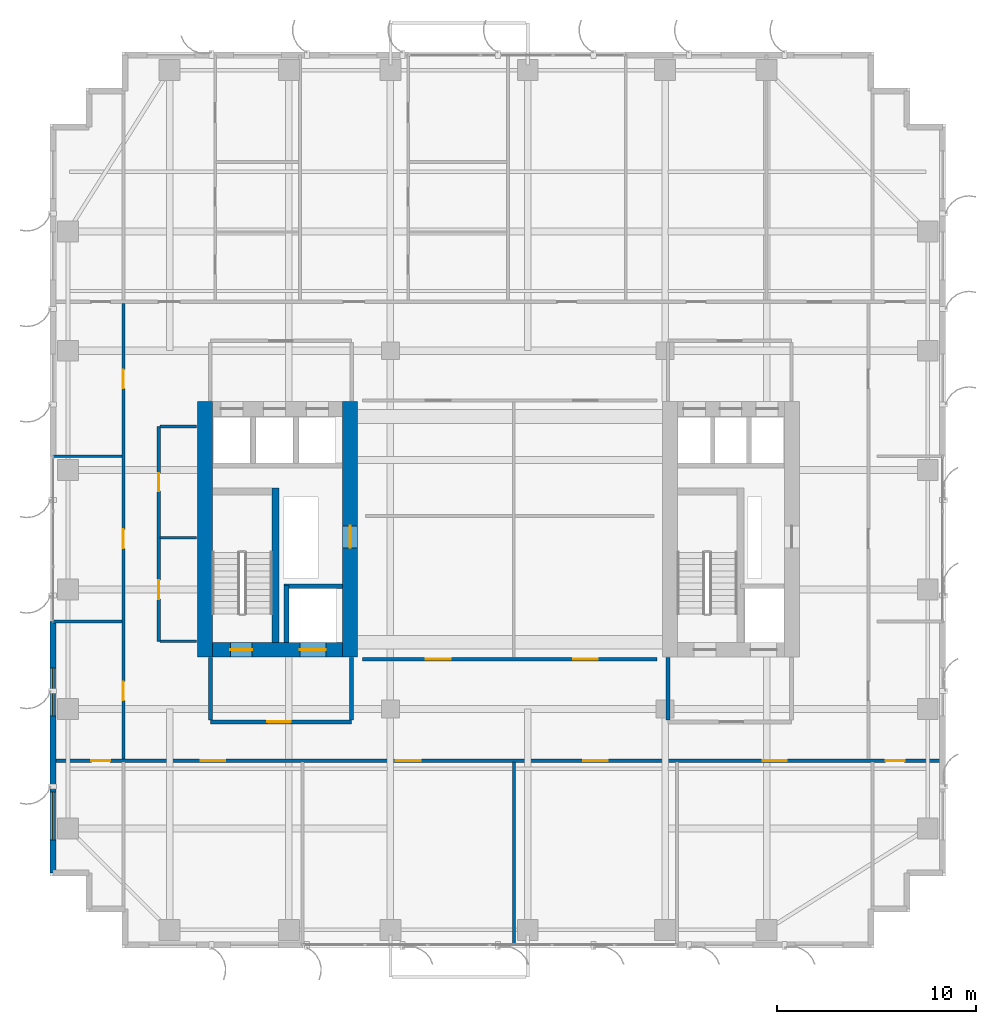
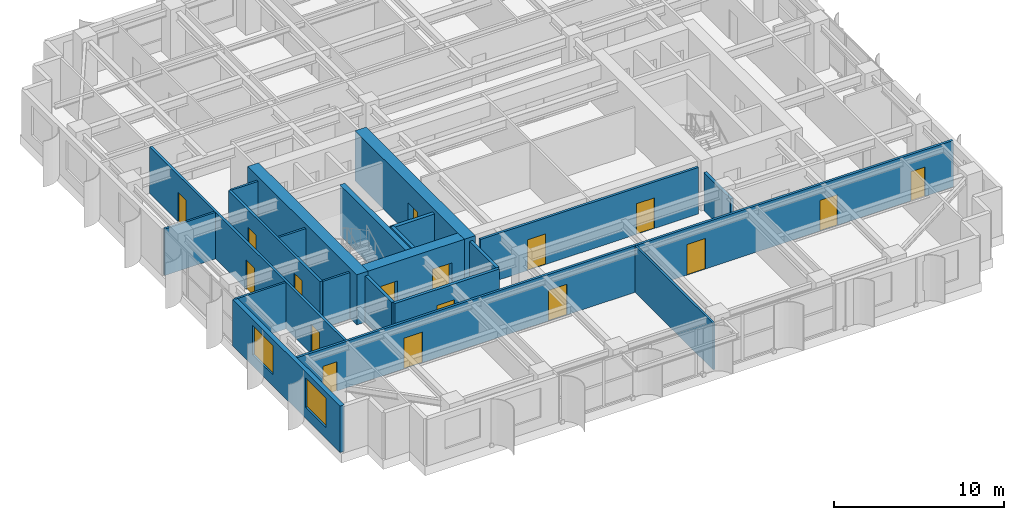
# One storey, part 17 of 23: 21 walls, 17 doors, 2 windows, 19 openings.
"""IFC4 building model written with IfcOpenShell, lengths in metres."""

from ifc_helpers import new_model, si_unit, direction, frame, frame_2d, origin, place, context, subcontext, project, spatial, rectangle, extrude, source, transform, mapped, material, layer, layer_set, type_object, element, fill, save


model = new_model("IFC4")

# Units and contexts
model_context = context("Model", 3, precision=1e-05, world=origin(), true_north=direction((0.0, 1.0)))
body_context = subcontext(model_context, "Body", "Model", "MODEL_VIEW")
ifc_project = project(units=[si_unit("LENGTHUNIT", "METRE"), si_unit("AREAUNIT", "SQUARE_METRE"), si_unit("VOLUMEUNIT", "CUBIC_METRE"), si_unit("PLANEANGLEUNIT", "RADIAN"), si_unit("MASSUNIT", "GRAM", prefix="KILO")], contexts=[model_context])

# Site, building, storey
site_placement = place(None, origin())
site = spatial("IfcSite", under=ifc_project, at=site_placement, CompositionType="ELEMENT")
building_placement = place(site_placement, origin())
building = spatial("IfcBuilding", under=site, at=building_placement, Name="Khoralis Quay Care Tower", CompositionType="ELEMENT")
storey_placement = place(building_placement, frame((0.0, 0.0, 83.699951171875)))
storey = spatial("IfcBuildingStorey", under=building, at=storey_placement, Name="L21", CompositionType="ELEMENT", Elevation=83.699951171875)

# Wall, opening, door
ifc_material_1 = material(Name="Gypsum plasterboard on acoustic metal stud")
ifc_layer_1 = layer(ifc_material_1, 0.199951171875)
ifc_layer_set_1 = layer_set([ifc_layer_1], Name="Gypsum plasterboard on acoustic metal stud")
wall_type_1 = type_object("IfcWallType", Name="WL-COMP-200", PredefinedType="PARTITIONING", material=ifc_layer_set_1)
wall_1_placement = place(storey_placement, frame((8.050048828125, 11.35009765625, 0.0), z_axis=(0.0, 0.0, 1.0), x_axis=(1.0, 0.0, 0.0)))
wall_1 = element("IfcWall", 1, at=wall_1_placement, inside=storey, type_object=wall_type_1, Name="L21 West Firefighting Lobby South Wall", PredefinedType="PARTITIONING", context=body_context, shape_type="SweptSolid", body=[
    extrude(rectangle(XDim=7.099853515625, YDim=0.199951171875, at=frame_2d((3.5498046875, 0.0))), origin(), (0.0, 0.0, 1.0), 3.340087890625),
])
opening_1_placement = place(wall_1_placement, frame((2.846435546875, 0.0, 0.0)))
opening_1 = element("IfcOpeningElement", 2, at=opening_1_placement, cuts=wall_1, Name="Opening FD1", PredefinedType="OPENING", context=body_context, shape_type="SweptSolid", body=[
    extrude(rectangle(XDim=1.199951171875, YDim=2.199951171875, at=frame_2d((0.60009765625, 1.10009765625))), frame((0.0, 0.10986328125, 0.0), z_axis=(0.0, -1.0, 0.0), x_axis=(1.0, 0.0, 0.0)), (0.0, 0.0, 1.0), 0.219970703125),
])
ifc_material_2 = material(Name="Fire-rated painted steel", Category="steel")
door_type_1 = type_object("IfcDoorType", Name="DR-FFL-1200X2200", OperationType="NOTDEFINED", PredefinedType="DOOR", material=ifc_material_2)
shared_shape_1 = source(origin(), body_context, "Body", "SweptSolid", [
    extrude(rectangle(XDim=1.199951171875, YDim=2.199951171875, at=frame_2d((0.60009765625, 1.10009765625))), frame((0.0, 0.02490234375, 0.0), z_axis=(0.0, -1.0, 0.0), x_axis=(1.0, 0.0, 0.0)), (0.0, 0.0, 1.0), 0.050048828125),
])
door_1_placement = place(opening_1_placement, origin())
door_1 = element("IfcDoor", 3, at=door_1_placement, inside=storey, type_object=door_type_1, Name="L21 West Firefighting Lobby Fire Door", OperationType="SINGLE_SWING_LEFT", OverallHeight=2.199951171875, OverallWidth=1.199951171875, PredefinedType="DOOR", context=body_context, shape_type="MappedRepresentation", body=[
    mapped(shared_shape_1, transform((0.0, 0.0, 0.0), scale=1.0)),
])
fill(opening_1, door_1)

# Walls
for number, where, z_axis, x_axis, name in (
    (4, (8.050048828125, 11.445068359375, 0.0), (0.0, 0.0, 1.0), (0.0, 1.0, 0.0), "L21 West Firefighting Lobby West Wall"),
    (5, (15.14990234375, 11.445068359375, 0.0), (0.0, 0.0, 1.0), (0.0, 1.0, 0.0), "L21 West Firefighting Lobby East Wall"),
):
    element("IfcWall", number, at=place(storey_placement, frame(where, z_axis=z_axis, x_axis=x_axis)), inside=storey, type_object=wall_type_1, Name=name, PredefinedType="PARTITIONING", context=body_context, shape_type="SweptSolid", body=[
        extrude(rectangle(XDim=3.135009765625, YDim=0.199951171875, at=frame_2d((1.5673828125, 0.0))), origin(), (0.0, 0.0, 1.0), 3.340087890625),
    ])
wall_2_placement = place(storey_placement, frame((31.050048828125, 11.445068359375, 0.0), z_axis=(0.0, 0.0, 1.0), x_axis=(0.0, 1.0, 0.0)))
element("IfcWall", 6, at=wall_2_placement, inside=storey, type_object=wall_type_1, Name="L21 East Firefighting Lobby West Wall", PredefinedType="PARTITIONING", context=body_context, shape_type="SweptSolid", body=[
    extrude(rectangle(XDim=3.135009765625, YDim=0.199951171875, at=frame_2d((1.5673828125, 0.0))), origin(), (0.0, 0.0, 1.0), 2.72412109375),
])
ifc_material_3 = material(Name="Concrete C80/95", Category="concrete")
ifc_layer_2 = layer(ifc_material_3, 0.75)
ifc_layer_set_2 = layer_set([ifc_layer_2], Name="Concrete C80/95")
wall_type_2 = type_object("IfcWallType", Name="WL-CORE-750", PredefinedType="SHEAR", material=ifc_layer_set_2)
wall_3_placement = place(storey_placement, frame((7.77490234375, 14.60009765625, 0.0), z_axis=(0.0, 0.0, 1.0), x_axis=(0.0, 1.0, 0.0)))
element("IfcWall", 7, at=wall_3_placement, inside=storey, type_object=wall_type_2, Name="L21 WCORE West Shear Wall", PredefinedType="SHEAR", context=body_context, shape_type="SweptSolid", body=[
    extrude(rectangle(XDim=12.849853515625, YDim=0.75, at=frame_2d((6.4248046875, 0.0))), origin(), (0.0, 0.0, 1.0), 3.60009765625),
])

# Wall, opening, door
wall_4_placement = place(storey_placement, frame((15.074951171875, 14.60009765625, 0.0), z_axis=(0.0, 0.0, 1.0), x_axis=(0.0, 1.0, 0.0)))
wall_4 = element("IfcWall", 8, at=wall_4_placement, inside=storey, type_object=wall_type_2, Name="L21 WCORE East Shear Wall", PredefinedType="SHEAR", context=body_context, shape_type="SweptSolid", body=[
    extrude(rectangle(XDim=12.849853515625, YDim=0.75, at=frame_2d((6.4248046875, 0.0))), origin(), (0.0, 0.0, 1.0), 3.60009765625),
])
opening_2_placement = place(wall_4_placement, frame((5.5, 0.0, 0.0)))
opening_2 = element("IfcOpeningElement", 9, at=opening_2_placement, cuts=wall_4, Name="Opening SD1", PredefinedType="OPENING", context=body_context, shape_type="SweptSolid", body=[
    extrude(rectangle(XDim=1.10009765625, YDim=2.199951171875, at=frame_2d((0.550048828125, 1.10009765625))), frame((0.0, 0.385009765625, 0.0), z_axis=(0.0, -1.0, 0.0), x_axis=(1.0, 0.0, 0.0)), (0.0, 0.0, 1.0), 0.77001953125),
])
door_type_2 = type_object("IfcDoorType", Name="DR-STAIR-1100X2200", OperationType="NOTDEFINED", PredefinedType="DOOR", material=ifc_material_2)
shared_shape_2 = source(origin(), body_context, "Body", "SweptSolid", [
    extrude(rectangle(XDim=1.10009765625, YDim=2.199951171875, at=frame_2d((0.550048828125, 1.10009765625))), frame((0.0, 0.02490234375, 0.0), z_axis=(0.0, -1.0, 0.0), x_axis=(1.0, 0.0, 0.0)), (0.0, 0.0, 1.0), 0.050048828125),
])
door_2_placement = place(opening_2_placement, origin())
door_2 = element("IfcDoor", 10, at=door_2_placement, inside=storey, type_object=door_type_2, Name="L21 West MEP Riser Door", OperationType="SINGLE_SWING_LEFT", OverallHeight=2.199951171875, OverallWidth=1.10009765625, PredefinedType="DOOR", context=body_context, shape_type="MappedRepresentation", body=[
    mapped(shared_shape_2, transform((0.0, 0.0, 0.0), scale=1.0)),
])
fill(opening_2, door_2)

# Wall, openings, doors
wall_5_placement = place(storey_placement, frame((8.14990234375, 14.97509765625, 0.0), z_axis=(0.0, 0.0, 1.0), x_axis=(1.0, 0.0, 0.0)))
wall_5 = element("IfcWall", 11, at=wall_5_placement, inside=storey, type_object=wall_type_2, Name="L21 WCORE South Shear Wall", PredefinedType="SHEAR", context=body_context, shape_type="SweptSolid", body=[
    extrude(rectangle(XDim=6.550048828125, YDim=0.75, at=frame_2d((3.27490234375, 0.0))), origin(), (0.0, 0.0, 1.0), 3.60009765625),
])
opening_3_placement = place(wall_5_placement, frame((0.89990234375, 0.0, 0.0)))
opening_3 = element("IfcOpeningElement", 12, at=opening_3_placement, cuts=wall_5, Name="Opening SD1", PredefinedType="OPENING", context=body_context, shape_type="SweptSolid", body=[
    extrude(rectangle(XDim=1.10009765625, YDim=2.199951171875, at=frame_2d((0.550048828125, 1.10009765625))), frame((0.0, 0.385009765625, 0.0), z_axis=(0.0, -1.0, 0.0), x_axis=(1.0, 0.0, 0.0)), (0.0, 0.0, 1.0), 0.77001953125),
])
opening_4_placement = place(wall_5_placement, frame((4.39990234375, 0.0, 0.0)))
opening_4 = element("IfcOpeningElement", 13, at=opening_4_placement, cuts=wall_5, Name="Opening LD2", PredefinedType="OPENING", context=body_context, shape_type="SweptSolid", body=[
    extrude(rectangle(XDim=1.300048828125, YDim=2.199951171875, at=frame_2d((0.64990234375, 1.10009765625))), frame((0.0, 0.385009765625, 0.0), z_axis=(0.0, -1.0, 0.0), x_axis=(1.0, 0.0, 0.0)), (0.0, 0.0, 1.0), 0.77001953125),
])
door_3_placement = place(opening_3_placement, origin())
door_3 = element("IfcDoor", 14, at=door_3_placement, inside=storey, type_object=door_type_2, Name="L21 Stair ST-T1 Fire Door", OperationType="SINGLE_SWING_LEFT", OverallHeight=2.199951171875, OverallWidth=1.10009765625, PredefinedType="DOOR", context=body_context, shape_type="MappedRepresentation", body=[
    mapped(shared_shape_2, transform((0.0, 0.0, 0.0), scale=1.0)),
])
fill(opening_3, door_3)
ifc_material_4 = material(Name="Brushed stainless steel", Category="steel")
door_type_3 = type_object("IfcDoorType", Name="DR-LIFT-1300X2200", OperationType="SLIDING_TO_RIGHT", PredefinedType="DOOR", material=ifc_material_4)
shared_shape_3 = source(origin(), body_context, "Body", "SweptSolid", [
    extrude(rectangle(XDim=1.300048828125, YDim=2.199951171875, at=frame_2d((0.64990234375, 1.10009765625))), frame((0.0, 0.02490234375, 0.0), z_axis=(0.0, -1.0, 0.0), x_axis=(1.0, 0.0, 0.0)), (0.0, 0.0, 1.0), 0.050048828125),
])
door_4_placement = place(opening_4_placement, origin())
door_4 = element("IfcDoor", 15, at=door_4_placement, inside=storey, type_object=door_type_3, Name="L21 Firefighting Lift FFL-1 Landing Door", OperationType="SLIDING_TO_RIGHT", OverallHeight=2.199951171875, OverallWidth=1.300048828125, PredefinedType="DOOR", context=body_context, shape_type="MappedRepresentation", body=[
    mapped(shared_shape_3, transform((0.0, 0.0, 0.0), scale=1.0)),
])
fill(opening_4, door_4)

ifc_layer_3 = layer(ifc_material_1, 0.1650390625)
ifc_layer_set_3 = layer_set([ifc_layer_3], Name="Gypsum plasterboard on acoustic metal stud")
wall_type_3 = type_object("IfcWallType", Name="WL-CORR-165", PredefinedType="PARTITIONING", material=ifc_layer_set_3)
wall_6_placement = place(storey_placement, frame((5.449951171875, 15.39990234375, 0.0), z_axis=(0.0, 0.0, 1.0), x_axis=(0.0, 1.0, 0.0)))
wall_6 = element("IfcWall", 16, at=wall_6_placement, inside=storey, type_object=wall_type_3, Name="L21 West Core Service Flank Wall", PredefinedType="PARTITIONING", context=body_context, shape_type="SweptSolid", body=[
    extrude(rectangle(XDim=10.800048828125, YDim=0.1650390625, at=frame_2d((5.39990234375, 0.0))), origin(), (0.0, 0.0, 1.0), 3.340087890625),
])
opening_5_placement = place(wall_6_placement, frame((2.125, 0.0, 0.0)))
opening_5 = element("IfcOpeningElement", 17, at=opening_5_placement, cuts=wall_6, Name="Opening ID1", PredefinedType="OPENING", context=body_context, shape_type="SweptSolid", body=[
    extrude(rectangle(XDim=0.949951171875, YDim=2.10009765625, at=frame_2d((0.47509765625, 1.050048828125))), frame((0.0, 0.092529296875, 0.0), z_axis=(0.0, -1.0, 0.0), x_axis=(1.0, 0.0, 0.0)), (0.0, 0.0, 1.0), 0.18505859375),
])
opening_6_placement = place(wall_6_placement, frame((7.550048828125, 0.0, 0.0)))
opening_6 = element("IfcOpeningElement", 18, at=opening_6_placement, cuts=wall_6, Name="Opening WD1", PredefinedType="OPENING", context=body_context, shape_type="SweptSolid", body=[
    extrude(rectangle(XDim=0.89990234375, YDim=2.10009765625, at=frame_2d((0.449951171875, 1.050048828125))), frame((0.0, 0.092529296875, 0.0), z_axis=(0.0, -1.0, 0.0), x_axis=(1.0, 0.0, 0.0)), (0.0, 0.0, 1.0), 0.18505859375),
])
ifc_material_5 = material(Name="Acoustic hardwood timber", Category="wood")
door_type_4 = type_object("IfcDoorType", Name="DR-BATH-900X2100", OperationType="NOTDEFINED", PredefinedType="DOOR", material=ifc_material_5)
shared_shape_4 = source(origin(), body_context, "Body", "SweptSolid", [
    extrude(rectangle(XDim=0.89990234375, YDim=2.10009765625, at=frame_2d((0.449951171875, 1.050048828125))), frame((0.0, 0.02490234375, 0.0), z_axis=(0.0, -1.0, 0.0), x_axis=(1.0, 0.0, 0.0)), (0.0, 0.0, 1.0), 0.050048828125),
])
door_5_placement = place(opening_6_placement, frame((0.89990234375, 0.0, 0.0), z_axis=(0.0, 0.0, 1.0), x_axis=(-1.0, 0.0, 0.0)))
door_5 = element("IfcDoor", 19, at=door_5_placement, inside=storey, type_object=door_type_4, Name="L21 Public Accessible WC Door", OperationType="SINGLE_SWING_LEFT", OverallHeight=2.10009765625, OverallWidth=0.89990234375, PredefinedType="DOOR", context=body_context, shape_type="MappedRepresentation", body=[
    mapped(shared_shape_4, transform((0.0, 0.0, 0.0), scale=1.0)),
])
fill(opening_6, door_5)
door_type_5 = type_object("IfcDoorType", Name="DR-ROOM-950X2100", OperationType="NOTDEFINED", PredefinedType="DOOR", material=ifc_material_5)
shared_shape_5 = source(origin(), body_context, "Body", "SweptSolid", [
    extrude(rectangle(XDim=0.949951171875, YDim=2.10009765625, at=frame_2d((0.47509765625, 1.050048828125))), frame((0.0, 0.02490234375, 0.0), z_axis=(0.0, -1.0, 0.0), x_axis=(1.0, 0.0, 0.0)), (0.0, 0.0, 1.0), 0.050048828125),
])
door_6_placement = place(opening_5_placement, frame((0.949951171875, 0.0, 0.0), z_axis=(0.0, 0.0, 1.0), x_axis=(-1.0, 0.0, 0.0)))
door_6 = element("IfcDoor", 20, at=door_6_placement, inside=storey, type_object=door_type_5, Name="L21 Housekeeping Linen Store Door", OperationType="SINGLE_SWING_RIGHT", OverallHeight=2.10009765625, OverallWidth=0.949951171875, PredefinedType="DOOR", context=body_context, shape_type="MappedRepresentation", body=[
    mapped(shared_shape_5, transform((0.0, 0.0, 0.0), scale=1.0)),
])
fill(opening_5, door_6)

wall_7_placement = place(storey_placement, frame((0.14501953125, 9.39990234375, 0.0), z_axis=(0.0, 0.0, 1.0), x_axis=(1.0, 0.0, 0.0)))
wall_7 = element("IfcWall", 21, at=wall_7_placement, inside=storey, type_object=wall_type_3, Name="L21 South Main Corridor Wall", PredefinedType="PARTITIONING", context=body_context, shape_type="SweptSolid", body=[
    extrude(rectangle(XDim=44.7099609375, YDim=0.1650390625, at=frame_2d((22.35498046875, 0.0))), origin(), (0.0, 0.0, 1.0), 3.340087890625),
])
opening_7_placement = place(wall_7_placement, frame((7.409912109375, 0.0, 0.0)))
opening_7 = element("IfcOpeningElement", 22, at=opening_7_placement, cuts=wall_7, Name="Opening CD1", PredefinedType="OPENING", context=body_context, shape_type="SweptSolid", body=[
    extrude(rectangle(XDim=1.25, YDim=2.199951171875, at=frame_2d((0.625, 1.10009765625))), frame((0.0, 0.092529296875, 0.0), z_axis=(0.0, -1.0, 0.0), x_axis=(1.0, 0.0, 0.0)), (0.0, 0.0, 1.0), 0.18505859375),
])
opening_8_placement = place(wall_7_placement, frame((17.22509765625, 0.0, 0.0)))
opening_8 = element("IfcOpeningElement", 23, at=opening_8_placement, cuts=wall_7, Name="Opening CD1", PredefinedType="OPENING", context=body_context, shape_type="SweptSolid", body=[
    extrude(rectangle(XDim=1.25, YDim=2.199951171875, at=frame_2d((0.625, 1.10009765625))), frame((0.0, 0.092529296875, 0.0), z_axis=(0.0, -1.0, 0.0), x_axis=(1.0, 0.0, 0.0)), (0.0, 0.0, 1.0), 0.18505859375),
])
opening_9_placement = place(wall_7_placement, frame((26.635009765625, 0.0, 0.0)))
opening_9 = element("IfcOpeningElement", 24, at=opening_9_placement, cuts=wall_7, Name="Opening CD1", PredefinedType="OPENING", context=body_context, shape_type="SweptSolid", body=[
    extrude(rectangle(XDim=1.25, YDim=2.199951171875, at=frame_2d((0.625, 1.10009765625))), frame((0.0, 0.092529296875, 0.0), z_axis=(0.0, -1.0, 0.0), x_axis=(1.0, 0.0, 0.0)), (0.0, 0.0, 1.0), 0.18505859375),
])
opening_10_placement = place(wall_7_placement, frame((35.6650390625, 0.0, 0.0)))
opening_10 = element("IfcOpeningElement", 25, at=opening_10_placement, cuts=wall_7, Name="Opening FD1", PredefinedType="OPENING", context=body_context, shape_type="SweptSolid", body=[
    extrude(rectangle(XDim=1.199951171875, YDim=2.199951171875, at=frame_2d((0.60009765625, 1.10009765625))), frame((0.0, 0.092529296875, 0.0), z_axis=(0.0, -1.0, 0.0), x_axis=(1.0, 0.0, 0.0)), (0.0, 0.0, 1.0), 0.18505859375),
])
opening_11_placement = place(wall_7_placement, frame((1.919921875, 0.0, 0.0)))
opening_11 = element("IfcOpeningElement", 26, at=opening_11_placement, cuts=wall_7, Name="Opening ID1", PredefinedType="OPENING", context=body_context, shape_type="SweptSolid", body=[
    extrude(rectangle(XDim=0.949951171875, YDim=2.10009765625, at=frame_2d((0.47509765625, 1.050048828125))), frame((0.0, 0.092529296875, 0.0), z_axis=(0.0, -1.0, 0.0), x_axis=(1.0, 0.0, 0.0)), (0.0, 0.0, 1.0), 0.18505859375),
])
opening_12_placement = place(wall_7_placement, frame((41.840087890625, 0.0, 0.0)))
opening_12 = element("IfcOpeningElement", 27, at=opening_12_placement, cuts=wall_7, Name="Opening ID1", PredefinedType="OPENING", context=body_context, shape_type="SweptSolid", body=[
    extrude(rectangle(XDim=0.949951171875, YDim=2.10009765625, at=frame_2d((0.47509765625, 1.050048828125))), frame((0.0, 0.092529296875, 0.0), z_axis=(0.0, -1.0, 0.0), x_axis=(1.0, 0.0, 0.0)), (0.0, 0.0, 1.0), 0.18505859375),
])
door_7_placement = place(opening_10_placement, frame((1.199951171875, 0.0, 0.0), z_axis=(0.0, 0.0, 1.0), x_axis=(-1.0, 0.0, 0.0)))
door_7 = element("IfcDoor", 28, at=door_7_placement, inside=storey, type_object=door_type_1, Name="L21 Assisted Communal Dining Room Door", OperationType="DOUBLE_DOOR_SINGLE_SWING", OverallHeight=2.199951171875, OverallWidth=1.199951171875, PredefinedType="DOOR", context=body_context, shape_type="MappedRepresentation", body=[
    mapped(shared_shape_1, transform((0.0, 0.0, 0.0), scale=1.0)),
])
fill(opening_10, door_7)
door_type_6 = type_object("IfcDoorType", Name="DR-CARE-1250X2200", OperationType="NOTDEFINED", PredefinedType="DOOR", material=ifc_material_5)
shared_shape_6 = source(origin(), body_context, "Body", "SweptSolid", [
    extrude(rectangle(XDim=1.25, YDim=2.199951171875, at=frame_2d((0.625, 1.10009765625))), frame((0.0, 0.02490234375, 0.0), z_axis=(0.0, -1.0, 0.0), x_axis=(1.0, 0.0, 0.0)), (0.0, 0.0, 1.0), 0.050048828125),
])
door_8_placement = place(opening_7_placement, frame((1.25, 0.0, 0.0), z_axis=(0.0, 0.0, 1.0), x_axis=(-1.0, 0.0, 0.0)))
door_8 = element("IfcDoor", 29, at=door_8_placement, inside=storey, type_object=door_type_6, Name="L21 Geriatric Consultation Clinic Door", OperationType="SINGLE_SWING_LEFT", OverallHeight=2.199951171875, OverallWidth=1.25, PredefinedType="DOOR", context=body_context, shape_type="MappedRepresentation", body=[
    mapped(shared_shape_6, transform((0.0, 0.0, 0.0), scale=1.0)),
])
fill(opening_7, door_8)
door_9_placement = place(opening_8_placement, frame((1.25, 0.0, 0.0), z_axis=(0.0, 0.0, 1.0), x_axis=(-1.0, 0.0, 0.0)))
door_9 = element("IfcDoor", 30, at=door_9_placement, inside=storey, type_object=door_type_6, Name="L21 Geriatric Consultation Clinic Door", OperationType="SINGLE_SWING_RIGHT", OverallHeight=2.199951171875, OverallWidth=1.25, PredefinedType="DOOR", context=body_context, shape_type="MappedRepresentation", body=[
    mapped(shared_shape_6, transform((0.0, 0.0, 0.0), scale=1.0)),
])
fill(opening_8, door_9)
door_10_placement = place(opening_9_placement, frame((1.25, 0.0, 0.0), z_axis=(0.0, 0.0, 1.0), x_axis=(-1.0, 0.0, 0.0)))
door_10 = element("IfcDoor", 31, at=door_10_placement, inside=storey, type_object=door_type_6, Name="L21 Physiotherapy Treatment Clinic Door", OperationType="SINGLE_SWING_LEFT", OverallHeight=2.199951171875, OverallWidth=1.25, PredefinedType="DOOR", context=body_context, shape_type="MappedRepresentation", body=[
    mapped(shared_shape_6, transform((0.0, 0.0, 0.0), scale=1.0)),
])
fill(opening_9, door_10)
door_11_placement = place(opening_11_placement, frame((0.949951171875, 0.0, 0.0), z_axis=(0.0, 0.0, 1.0), x_axis=(-1.0, 0.0, 0.0)))
door_11 = element("IfcDoor", 32, at=door_11_placement, inside=storey, type_object=door_type_5, Name="L21 SW Corner Door", OperationType="SINGLE_SWING_LEFT", OverallHeight=2.10009765625, OverallWidth=0.949951171875, PredefinedType="DOOR", context=body_context, shape_type="MappedRepresentation", body=[
    mapped(shared_shape_5, transform((0.0, 0.0, 0.0), scale=1.0)),
])
fill(opening_11, door_11)
door_12_placement = place(opening_12_placement, frame((0.949951171875, 0.0, 0.0), z_axis=(0.0, 0.0, 1.0), x_axis=(-1.0, 0.0, 0.0)))
door_12 = element("IfcDoor", 33, at=door_12_placement, inside=storey, type_object=door_type_5, Name="L21 SE Corner Door", OperationType="SINGLE_SWING_RIGHT", OverallHeight=2.10009765625, OverallWidth=0.949951171875, PredefinedType="DOOR", context=body_context, shape_type="MappedRepresentation", body=[
    mapped(shared_shape_5, transform((0.0, 0.0, 0.0), scale=1.0)),
])
fill(opening_12, door_12)

wall_8_placement = place(storey_placement, frame((3.679931640625, 9.4775390625, 0.0), z_axis=(0.0, 0.0, 1.0), x_axis=(0.0, 1.0, 0.0)))
wall_8 = element("IfcWall", 34, at=wall_8_placement, inside=storey, type_object=wall_type_3, Name="L21 West Loop Corridor Wall", PredefinedType="PARTITIONING", context=body_context, shape_type="SweptSolid", body=[
    extrude(rectangle(XDim=22.905029296875, YDim=0.1650390625, at=frame_2d((11.45263671875, 0.0))), origin(), (0.0, 0.0, 1.0), 3.340087890625),
])
opening_13_placement = place(wall_8_placement, frame((2.947509765625, 0.0, 0.0)))
opening_13 = element("IfcOpeningElement", 35, at=opening_13_placement, cuts=wall_8, Name="Opening ID1", PredefinedType="OPENING", context=body_context, shape_type="SweptSolid", body=[
    extrude(rectangle(XDim=0.949951171875, YDim=2.10009765625, at=frame_2d((0.47509765625, 1.050048828125))), frame((0.0, 0.092529296875, 0.0), z_axis=(0.0, -1.0, 0.0), x_axis=(1.0, 0.0, 0.0)), (0.0, 0.0, 1.0), 0.18505859375),
])
opening_14_placement = place(wall_8_placement, frame((10.597412109375, 0.0, 0.0)))
opening_14 = element("IfcOpeningElement", 36, at=opening_14_placement, cuts=wall_8, Name="Opening ID1", PredefinedType="OPENING", context=body_context, shape_type="SweptSolid", body=[
    extrude(rectangle(XDim=0.949951171875, YDim=2.10009765625, at=frame_2d((0.47509765625, 1.050048828125))), frame((0.0, 0.092529296875, 0.0), z_axis=(0.0, -1.0, 0.0), x_axis=(1.0, 0.0, 0.0)), (0.0, 0.0, 1.0), 0.18505859375),
])
opening_15_placement = place(wall_8_placement, frame((18.62744140625, 0.0, 0.0)))
opening_15 = element("IfcOpeningElement", 37, at=opening_15_placement, cuts=wall_8, Name="Opening ID1", PredefinedType="OPENING", context=body_context, shape_type="SweptSolid", body=[
    extrude(rectangle(XDim=0.949951171875, YDim=2.10009765625, at=frame_2d((0.47509765625, 1.050048828125))), frame((0.0, 0.092529296875, 0.0), z_axis=(0.0, -1.0, 0.0), x_axis=(1.0, 0.0, 0.0)), (0.0, 0.0, 1.0), 0.18505859375),
])
door_13_placement = place(opening_13_placement, origin())
door_13 = element("IfcDoor", 38, at=door_13_placement, inside=storey, type_object=door_type_5, Name="L21 Therapy Consultation Room Door", OperationType="SINGLE_SWING_LEFT", OverallHeight=2.10009765625, OverallWidth=0.949951171875, PredefinedType="DOOR", context=body_context, shape_type="MappedRepresentation", body=[
    mapped(shared_shape_5, transform((0.0, 0.0, 0.0), scale=1.0)),
])
fill(opening_13, door_13)
door_14_placement = place(opening_14_placement, origin())
door_14 = element("IfcDoor", 39, at=door_14_placement, inside=storey, type_object=door_type_5, Name="L21 Assisted Activity Lounge Door", OperationType="SINGLE_SWING_RIGHT", OverallHeight=2.10009765625, OverallWidth=0.949951171875, PredefinedType="DOOR", context=body_context, shape_type="MappedRepresentation", body=[
    mapped(shared_shape_5, transform((0.0, 0.0, 0.0), scale=1.0)),
])
fill(opening_14, door_14)
door_15_placement = place(opening_15_placement, origin())
door_15 = element("IfcDoor", 40, at=door_15_placement, inside=storey, type_object=door_type_5, Name="L21 Nurse Charting Office Door", OperationType="SINGLE_SWING_LEFT", OverallHeight=2.10009765625, OverallWidth=0.949951171875, PredefinedType="DOOR", context=body_context, shape_type="MappedRepresentation", body=[
    mapped(shared_shape_5, transform((0.0, 0.0, 0.0), scale=1.0)),
])
fill(opening_15, door_15)

wall_9_placement = place(storey_placement, frame((15.699951171875, 14.5, 0.0), z_axis=(0.0, 0.0, 1.0), x_axis=(1.0, 0.0, 0.0)))
wall_9 = element("IfcWall", 41, at=wall_9_placement, inside=storey, type_object=wall_type_3, Name="L21 Central Clinical South Wall", PredefinedType="PARTITIONING", context=body_context, shape_type="SweptSolid", body=[
    extrude(rectangle(XDim=14.800048828125, YDim=0.1650390625, at=frame_2d((7.39990234375, 0.0))), origin(), (0.0, 0.0, 1.0), 3.340087890625),
])
opening_16_placement = place(wall_9_placement, frame((3.175048828125, 0.0, 0.0)))
opening_16 = element("IfcOpeningElement", 42, at=opening_16_placement, cuts=wall_9, Name="Opening CD1", PredefinedType="OPENING", context=body_context, shape_type="SweptSolid", body=[
    extrude(rectangle(XDim=1.25, YDim=2.199951171875, at=frame_2d((0.625, 1.10009765625))), frame((0.0, 0.092529296875, 0.0), z_axis=(0.0, -1.0, 0.0), x_axis=(1.0, 0.0, 0.0)), (0.0, 0.0, 1.0), 0.18505859375),
])
opening_17_placement = place(wall_9_placement, frame((10.574951171875, 0.0, 0.0)))
opening_17 = element("IfcOpeningElement", 43, at=opening_17_placement, cuts=wall_9, Name="Opening CD1", PredefinedType="OPENING", context=body_context, shape_type="SweptSolid", body=[
    extrude(rectangle(XDim=1.25, YDim=2.199951171875, at=frame_2d((0.625, 1.10009765625))), frame((0.0, 0.092529296875, 0.0), z_axis=(0.0, -1.0, 0.0), x_axis=(1.0, 0.0, 0.0)), (0.0, 0.0, 1.0), 0.18505859375),
])
door_16_placement = place(opening_16_placement, origin())
door_16 = element("IfcDoor", 44, at=door_16_placement, inside=storey, type_object=door_type_6, Name="L21 Nurse Station Door", OperationType="SINGLE_SWING_LEFT", OverallHeight=2.199951171875, OverallWidth=1.25, PredefinedType="DOOR", context=body_context, shape_type="MappedRepresentation", body=[
    mapped(shared_shape_6, transform((0.0, 0.0, 0.0), scale=1.0)),
])
fill(opening_16, door_16)
door_17_placement = place(opening_17_placement, origin())
door_17 = element("IfcDoor", 45, at=door_17_placement, inside=storey, type_object=door_type_6, Name="L21 Treatment Clinic Door", OperationType="SINGLE_SWING_RIGHT", OverallHeight=2.199951171875, OverallWidth=1.25, PredefinedType="DOOR", context=body_context, shape_type="MappedRepresentation", body=[
    mapped(shared_shape_6, transform((0.0, 0.0, 0.0), scale=1.0)),
])
fill(opening_17, door_17)

# Wall, openings, windows
ifc_material_6 = material(Name="Precast concrete C45/55", Category="concrete")
ifc_layer_4 = layer(ifc_material_6, 0.300048828125)
ifc_layer_set_4 = layer_set([ifc_layer_4], Name="Precast concrete C45/55")
wall_type_4 = type_object("IfcWallType", Name="WL-EXT-REF-300", PredefinedType="SOLIDWALL", material=ifc_layer_set_4)
wall_10_placement = place(storey_placement, frame((0.14990234375, 16.39990234375, 0.0), z_axis=(0.0, 0.0, 1.0), x_axis=(0.0, -1.0, 0.0)))
wall_10 = element("IfcWall", 46, at=wall_10_placement, inside=storey, type_object=wall_type_4, Name="L21 External Facade Wall WL-EXT-L21-P1-E15B", PredefinedType="SOLIDWALL", context=body_context, shape_type="SweptSolid", body=[
    extrude(rectangle(XDim=12.64990234375, YDim=0.300048828125, at=frame_2d((6.324951171875, 0.0))), origin(), (0.0, 0.0, 1.0), 3.340087890625),
])
opening_18_placement = place(wall_10_placement, frame((2.35009765625, 0.0, 0.800048828125)))
opening_18 = element("IfcOpeningElement", 47, at=opening_18_placement, cuts=wall_10, Name="Opening W1", PredefinedType="OPENING", context=body_context, shape_type="SweptSolid", body=[
    extrude(rectangle(XDim=2.39990234375, YDim=2.10009765625, at=frame_2d((1.199951171875, 1.050048828125))), frame((0.0, 0.16015625, 0.0), z_axis=(0.0, -1.0, 0.0), x_axis=(1.0, 0.0, 0.0)), (0.0, 0.0, 1.0), 0.320068359375),
])
opening_19_placement = place(wall_10_placement, frame((8.574951171875, 0.0, 0.800048828125)))
opening_19 = element("IfcOpeningElement", 48, at=opening_19_placement, cuts=wall_10, Name="Opening W1", PredefinedType="OPENING", context=body_context, shape_type="SweptSolid", body=[
    extrude(rectangle(XDim=2.39990234375, YDim=2.10009765625, at=frame_2d((1.199951171875, 1.050048828125))), frame((0.0, 0.16015625, 0.0), z_axis=(0.0, -1.0, 0.0), x_axis=(1.0, 0.0, 0.0)), (0.0, 0.0, 1.0), 0.320068359375),
])
ifc_material_7 = material(Name="Low-E solar-control double glazing", Category="glass")
window_type = type_object("IfcWindowType", Name="WN-POD-2400X2100", PartitioningType="SINGLE_PANEL", PredefinedType="WINDOW", material=ifc_material_7)
shared_shape_7 = source(origin(), body_context, "Body", "SweptSolid", [
    extrude(rectangle(XDim=2.39990234375, YDim=2.10009765625, at=frame_2d((1.199951171875, 1.050048828125))), frame((0.0, 0.030029296875, 0.0), z_axis=(0.0, -1.0, 0.0), x_axis=(1.0, 0.0, 0.0)), (0.0, 0.0, 1.0), 0.06005859375),
])
window_1_placement = place(opening_18_placement, origin())
window_1 = element("IfcWindow", 49, at=window_1_placement, inside=storey, type_object=window_type, Name="WN-L21-P1-E15B Facade Window 01", OverallHeight=2.10009765625, OverallWidth=2.39990234375, PartitioningType="SINGLE_PANEL", PredefinedType="WINDOW", context=body_context, shape_type="MappedRepresentation", body=[
    mapped(shared_shape_7, transform((0.0, 0.0, 0.0), scale=1.0)),
])
fill(opening_18, window_1)
window_2_placement = place(opening_19_placement, origin())
window_2 = element("IfcWindow", 50, at=window_2_placement, inside=storey, type_object=window_type, Name="WN-L21-P1-E15B Facade Window 02", OverallHeight=2.10009765625, OverallWidth=2.39990234375, PartitioningType="SINGLE_PANEL", PredefinedType="WINDOW", context=body_context, shape_type="MappedRepresentation", body=[
    mapped(shared_shape_7, transform((0.0, 0.0, 0.0), scale=1.0)),
])
fill(opening_19, window_2)

# Walls
ifc_material_8 = material(Name="Moisture-resistant gypsum and ceramic tile")
ifc_layer_5 = layer(ifc_material_8, 0.280029296875)
ifc_layer_set_5 = layer_set([ifc_layer_5], Name="Moisture-resistant gypsum and ceramic tile")
wall_type_5 = type_object("IfcWallType", Name="WL-PLUMB-280", PredefinedType="PLUMBINGWALL", material=ifc_layer_set_5)
wall_11_placement = place(storey_placement, frame((5.527587890625, 20.60009765625, 0.0), z_axis=(0.0, 0.0, 1.0), x_axis=(1.0, 0.0, 0.0)))
element("IfcWall", 51, at=wall_11_placement, inside=storey, type_object=wall_type_5, Name="L21 West Flank Divider 1", PredefinedType="PLUMBINGWALL", context=body_context, shape_type="SweptSolid", body=[
    extrude(rectangle(XDim=1.83251953125, YDim=0.139892578125, at=frame_2d((0.916259765625, 0.0))), origin(), (0.0, 0.0, 1.0), 3.340087890625),
])
ifc_material_9 = material(Name="Concrete C40/50", Category="concrete")
ifc_layer_6 = layer(ifc_material_9, 0.35009765625)
ifc_layer_set_6 = layer_set([ifc_layer_6], Name="Concrete C40/50")
wall_type_6 = type_object("IfcWallType", Name="WL-SC-CORE-350", PredefinedType="SHEAR", material=ifc_layer_set_6)
wall_12_placement = place(storey_placement, frame((11.324951171875, 15.35009765625, 0.0), z_axis=(0.0, 0.0, 1.0), x_axis=(0.0, 1.0, 0.0)))
element("IfcWall", 52, at=wall_12_placement, inside=storey, type_object=wall_type_6, Name="L21 Stair ST-T1 Shear Baffle Wall East", PredefinedType="SHEAR", context=body_context, shape_type="SweptSolid", body=[
    extrude(rectangle(XDim=7.75, YDim=0.35009765625, at=frame_2d((3.875, 0.0))), origin(), (0.0, 0.0, 1.0), 3.60009765625),
])
ifc_layer_7 = layer(ifc_material_1, 0.239990234375)
ifc_layer_set_7 = layer_set([ifc_layer_7], Name="Gypsum plasterboard on acoustic metal stud")
wall_type_7 = type_object("IfcWallType", Name="WL-SHAFT-240", PredefinedType="PARTITIONING", material=ifc_layer_set_7)
wall_13_placement = place(storey_placement, frame((11.8798828125, 15.35009765625, 0.0), z_axis=(0.0, 0.0, 1.0), x_axis=(0.0, 1.0, 0.0)))
element("IfcWall", 53, at=wall_13_placement, inside=storey, type_object=wall_type_7, Name="L21 FFL-1 Shaft Wall West", PredefinedType="PARTITIONING", context=body_context, shape_type="SweptSolid", body=[
    extrude(rectangle(XDim=2.849853515625, YDim=0.239990234375, at=frame_2d((1.4248046875, 0.0))), origin(), (0.0, 0.0, 1.0), 3.340087890625),
])
wall_14_placement = place(storey_placement, frame((11.760009765625, 18.169921875, 0.0), z_axis=(0.0, 0.0, 1.0), x_axis=(1.0, 0.0, 0.0)))
element("IfcWall", 54, at=wall_14_placement, inside=storey, type_object=wall_type_7, Name="L21 FFL-1 Shaft Wall North", PredefinedType="PARTITIONING", context=body_context, shape_type="SweptSolid", body=[
    extrude(rectangle(XDim=2.919921875, YDim=0.239990234375, at=frame_2d((1.4599609375, 0.0))), origin(), (0.0, 0.0, 1.0), 3.340087890625),
])
ifc_layer_8 = layer(ifc_material_1, 0.139892578125)
ifc_layer_set_8 = layer_set([ifc_layer_8], Name="Gypsum plasterboard on acoustic metal stud")
wall_type_8 = type_object("IfcWallType", Name="WL-UNIT-140", PredefinedType="PARTITIONING", material=ifc_layer_set_8)
for number, where, z_axis, x_axis, name in (
    (55, (5.527587890625, 15.39990234375, 0.0), (0.0, 0.0, 1.0), (1.0, 0.0, 0.0), "L21 West Flank South Cap"),
    (56, (5.527587890625, 26.199951171875, 0.0), (0.0, 0.0, 1.0), (1.0, 0.0, 0.0), "L21 West Flank North Cap"),
):
    element("IfcWall", number, at=place(storey_placement, frame(where, z_axis=z_axis, x_axis=x_axis)), inside=storey, type_object=wall_type_8, Name=name, PredefinedType="PARTITIONING", context=body_context, shape_type="SweptSolid", body=[
        extrude(rectangle(XDim=1.83251953125, YDim=0.139892578125, at=frame_2d((0.916259765625, 0.0))), origin(), (0.0, 0.0, 1.0), 3.340087890625),
    ])
for number, where, z_axis, x_axis, name in (
    (57, (0.14501953125, 16.39990234375, 0.0), (0.0, 0.0, 1.0), (1.0, 0.0, 0.0), "L21 WW Divider 1"),
    (58, (0.14501953125, 24.699951171875, 0.0), (0.0, 0.0, 1.0), (1.0, 0.0, 0.0), "L21 WW Divider 2"),
):
    element("IfcWall", number, at=place(storey_placement, frame(where, z_axis=z_axis, x_axis=x_axis)), inside=storey, type_object=wall_type_8, Name=name, PredefinedType="PARTITIONING", context=body_context, shape_type="SweptSolid", body=[
        extrude(rectangle(XDim=3.45751953125, YDim=0.139892578125, at=frame_2d((1.728759765625, 0.0))), origin(), (0.0, 0.0, 1.0), 3.340087890625),
    ])
wall_15_placement = place(storey_placement, frame((23.31005859375, 0.14501953125, 0.0), z_axis=(0.0, 0.0, 1.0), x_axis=(0.0, 1.0, 0.0)))
element("IfcWall", 59, at=wall_15_placement, inside=storey, type_object=wall_type_8, Name="L21 SB Demising Wall 2", PredefinedType="PARTITIONING", context=body_context, shape_type="SweptSolid", body=[
    extrude(rectangle(XDim=9.177490234375, YDim=0.139892578125, at=frame_2d((4.5888671875, 0.0))), origin(), (0.0, 0.0, 1.0), 3.340087890625),
])

save(model, "model.ifc")
